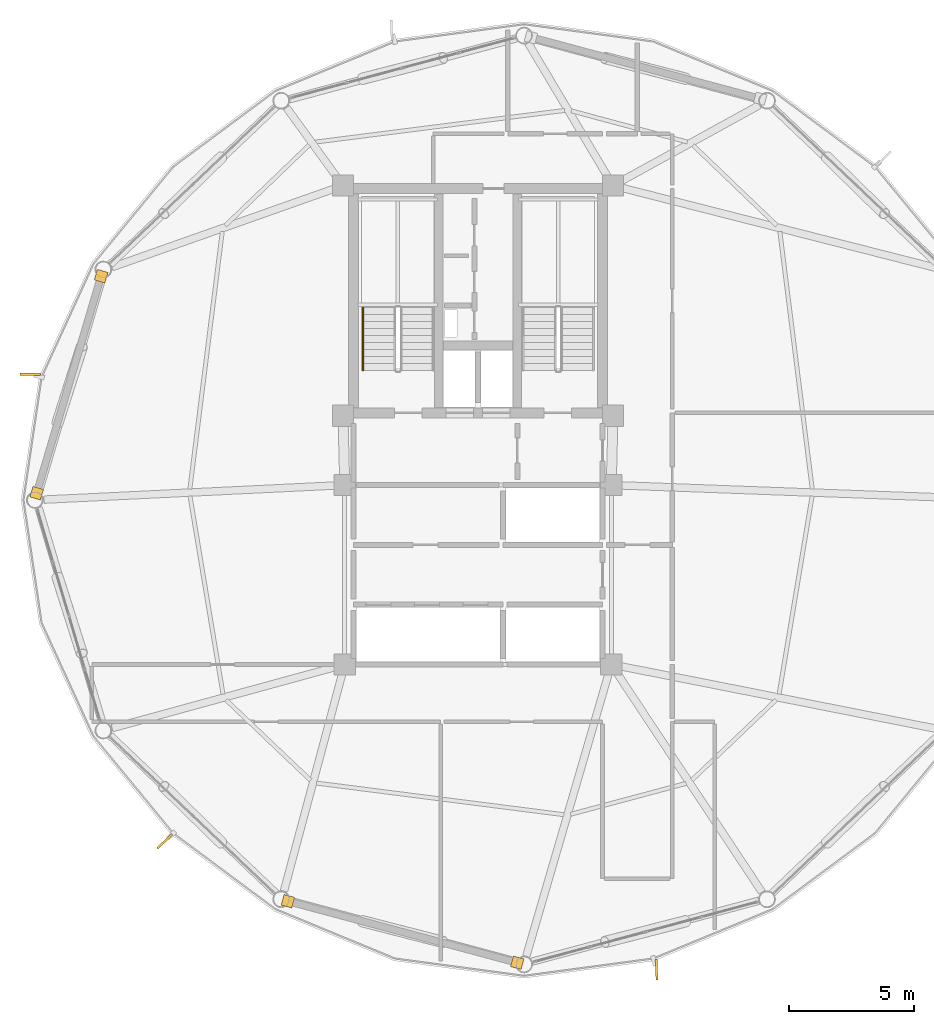
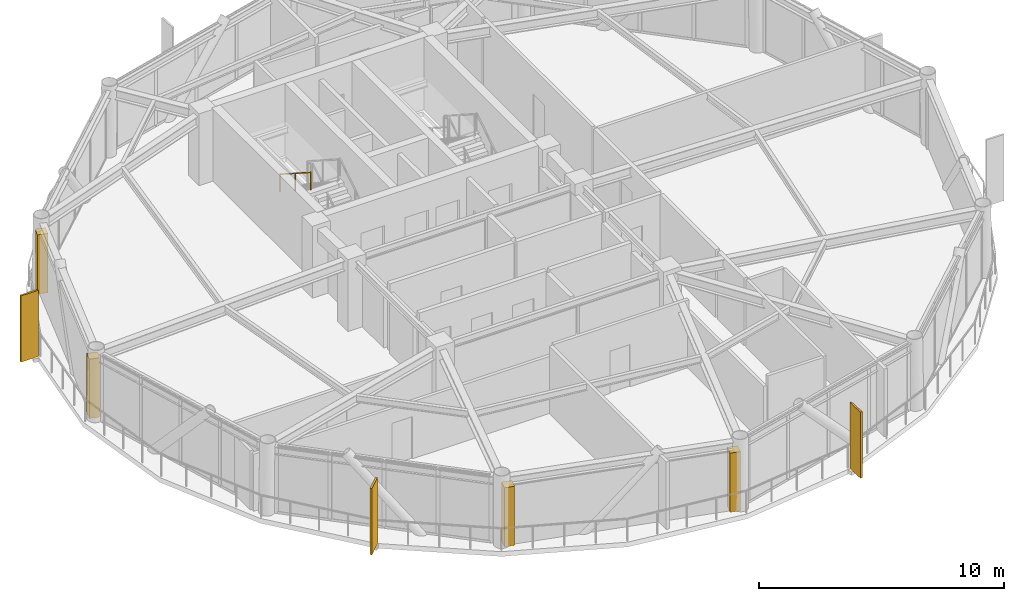
# One storey, part 24 of 28: 4 coverings, 3 shading devices, 1 railing.
"""IFC4 building model written with IfcOpenShell, lengths in metres."""

from ifc_helpers import new_model, si_unit, direction, frame, origin, origin_2d, place, context, subcontext, project, spatial, rectangle, extrude, source, transform, mapped, material, layer, layer_set, type_object, type_shapes, element, save


model = new_model("IFC4")

# Units and contexts
model_context = context("Model", 3, precision=1e-05, world=origin(), true_north=direction((0.0, 1.0)))
body_context = subcontext(model_context, "Body", "Model", "MODEL_VIEW")
ifc_project = project(units=[si_unit("LENGTHUNIT", "METRE"), si_unit("AREAUNIT", "SQUARE_METRE"), si_unit("VOLUMEUNIT", "CUBIC_METRE"), si_unit("PLANEANGLEUNIT", "RADIAN"), si_unit("MASSUNIT", "GRAM", prefix="KILO")], contexts=[model_context])

# Site, building, storey
site_placement = place(None, origin())
site = spatial("IfcSite", under=ifc_project, at=site_placement, CompositionType="ELEMENT")
building_placement = place(site_placement, origin())
building = spatial("IfcBuilding", under=site, at=building_placement, Name="Varnakorn Sky Granary", CompositionType="ELEMENT")
storey_placement = place(building_placement, frame((0.0, 0.0, 186.0)))
storey = spatial("IfcBuildingStorey", under=building, at=storey_placement, Name="L46", CompositionType="ELEMENT", Elevation=186.0)

# Railing
ifc_material_1 = material(Name="Brushed Stainless Steel 316", Category="steel")
railing_type = type_object("IfcRailingType", Name="RL-STAIR-920", PredefinedType="HANDRAIL", material=ifc_material_1)
railing_placement = place(storey_placement, frame((-1.6201171875, 7.719970703125, 1.97998046875)))
element("IfcRailing", 1, at=railing_placement, inside=storey, type_object=railing_type, Name="L46 ST-1 stair handrail 2", PredefinedType="HANDRAIL", context=body_context, shape_type="SweptSolid", body=[
    extrude(rectangle(XDim=0.048095703125, YDim=0.048095703125, at=origin_2d()), frame((0.0, 0.0, 0.8759765625), z_axis=(0.0, -0.841162588446, 0.540782303519), x_axis=(1.0, 0.0, 0.0)), (0.0, 0.0, 1.0), 2.995849609375),
    extrude(rectangle(XDim=0.0419921875, YDim=0.0419921875, at=origin_2d()), origin(), (0.0, 0.0, 1.0), 0.847900390625),
    extrude(rectangle(XDim=0.0419921875, YDim=0.0419921875, at=origin_2d()), frame((0.0, -1.260009765625, 0.81005859375)), (0.0, 0.0, 1.0), 0.847900390625),
    extrude(rectangle(XDim=0.0419921875, YDim=0.0419921875, at=origin_2d()), frame((0.0, -2.52001953125, 1.6201171875)), (0.0, 0.0, 1.0), 0.847900390625),
])

# Shading devices
ifc_material_2 = material(Name="Anodised Bronze Aluminium Alloy 6063-T6", Category="aluminium")
shading_device_type = type_object("IfcShadingDeviceType", Name="SH-FIN-02", PredefinedType="USERDEFINED", material=ifc_material_2)
shared_shape_1 = source(origin(), body_context, "Body", "SweptSolid", [
    extrude(rectangle(XDim=0.0849609375, YDim=0.820068359375, at=origin_2d()), origin(), (0.0, 0.0, 1.0), 3.300048828125),
])
type_shapes(shading_device_type, [shared_shape_1])
for number, where, z_axis, x_axis, name in (
    (2, (-14.974365234375, 5.047119140625, -0.0400390625), (0.0, 0.0, 1.0), (-0.004033960112, -0.99999186355, 0.0), "Bronze Solar-Tracking Vertical Blade FIN L46-06"),
    (3, (-9.57470703125, -13.7001953125, -0.0400390625), (0.0, 0.0, 1.0), (0.699019539935, -0.71510256802, 0.0), "Bronze Solar-Tracking Vertical Blade FIN L46-08"),
    (4, (10.167724609375, -18.856201171875, -0.0400390625), (0.0, 0.0, 1.0), (0.999324058193, 0.036761756159, 0.0), "Bronze Solar-Tracking Vertical Blade FIN L46-10"),
):
    element("IfcShadingDevice", number, at=place(storey_placement, frame(where, z_axis=z_axis, x_axis=x_axis)), inside=storey, type_object=shading_device_type, Name=name, ObjectType="FIN", PredefinedType="USERDEFINED", context=body_context, shape_type="MappedRepresentation", body=[
        mapped(shared_shape_1, transform((0.0, 0.0, 0.0), x_axis=(1.0, 0.0, 0.0), y_axis=(0.0, 1.0, 0.0), z_axis=(0.0, 0.0, 1.0), scale=1.0)),
    ])

# Coverings
ifc_layer = layer(ifc_material_2, 0.050048828125, Name="Anodised Bronze Aluminium Alloy 6063-T6")
ifc_layer_set = layer_set([ifc_layer], Name="Anodised Bronze Aluminium Alloy 6063-T6")
covering_type = type_object("IfcCoveringType", Name="CV-CLAD-50", PredefinedType="CLADDING", material=ifc_layer_set)
shared_shape_2 = source(origin(), body_context, "Body", "SweptSolid", [
    extrude(rectangle(XDim=0.43994140625, YDim=0.43994140625, at=origin_2d()), origin(), (0.0, 0.0, 1.0), 2.949951171875),
])
type_shapes(covering_type, [shared_shape_2])
for number, where, z_axis, x_axis, name in (
    (5, (-14.7158203125, 0.273193359375, -0.02001953125), (0.0, 0.0, 1.0), (0.284684657889, 0.95862122111, 0.0), "Bronze Corner Pilaster Closure L46-P06-A"),
    (6, (-12.12890625, 8.9833984375, -0.02001953125), (0.0, 0.0, 1.0), (0.284684657889, 0.95862122111, 0.0), "Bronze Corner Pilaster Closure L46-P06-B"),
    (7, (4.57470703125, -18.57421875, -0.02001953125), (0.0, 0.0, 1.0), (-0.965880639132, 0.25898762702, 0.0), "Bronze Corner Pilaster Closure L46-P09-A"),
    (8, (-4.630615234375, -16.1064453125, -0.02001953125), (0.0, 0.0, 1.0), (-0.965880639132, 0.25898762702, 0.0), "Bronze Corner Pilaster Closure L46-P09-B"),
):
    element("IfcCovering", number, at=place(storey_placement, frame(where, z_axis=z_axis, x_axis=x_axis)), inside=storey, type_object=covering_type, Name=name, PredefinedType="CLADDING", context=body_context, shape_type="MappedRepresentation", body=[
        mapped(shared_shape_2, transform((0.0, 0.0, 0.0), x_axis=(1.0, 0.0, 0.0), y_axis=(0.0, 1.0, 0.0), z_axis=(0.0, 0.0, 1.0), scale=1.0)),
    ])

save(model, "model.ifc")
